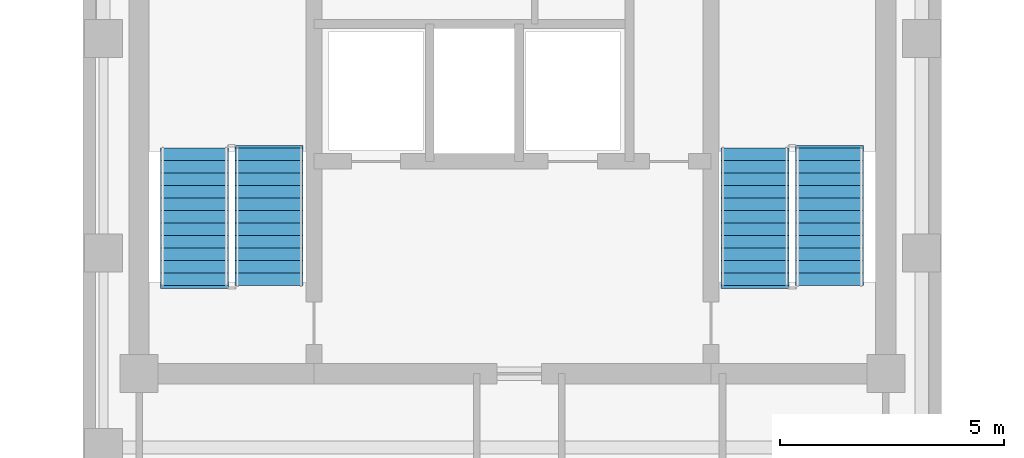
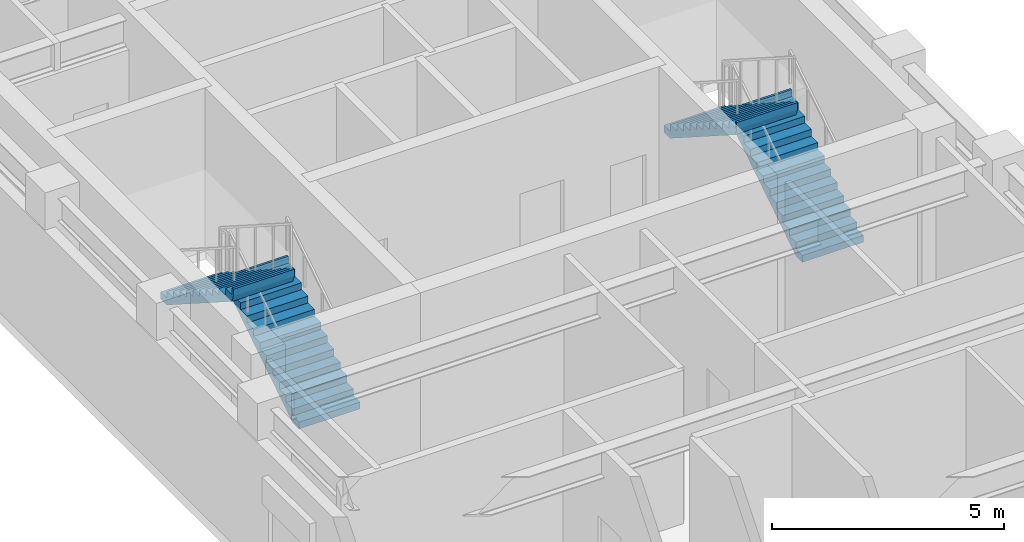
# One storey, part 5 of 6: 4 stair flights, 2 elements without a shape of their own.
"""IFC4 building model written with IfcOpenShell, lengths in metres."""

from ifc_helpers import new_model, si_unit, direction, frame, origin, place, context, subcontext, project, spatial, polyline, outline, extrude, material, type_object, element, aggregate, save


model = new_model("IFC4")

# Units and contexts
model_context = context("Model", 3, precision=1e-05, world=origin(), true_north=direction((0.0, 1.0)))
body_context = subcontext(model_context, "Body", "Model", "MODEL_VIEW")
ifc_project = project(units=[si_unit("LENGTHUNIT", "METRE"), si_unit("AREAUNIT", "SQUARE_METRE"), si_unit("VOLUMEUNIT", "CUBIC_METRE"), si_unit("PLANEANGLEUNIT", "RADIAN"), si_unit("MASSUNIT", "GRAM", prefix="KILO")], contexts=[model_context])

# Site, building, storey
site_placement = place(None, origin())
site = spatial("IfcSite", under=ifc_project, at=site_placement, CompositionType="ELEMENT")
building_placement = place(site_placement, origin())
building = spatial("IfcBuilding", under=site, at=building_placement, Name="Orvandelia Arch Residences", CompositionType="ELEMENT")
storey_placement = place(building_placement, frame((0.0, 0.0, 244.10009765625)))
storey = spatial("IfcBuildingStorey", under=building, at=storey_placement, Name="L64", CompositionType="ELEMENT", Elevation=244.10009765625)

# Stair, stair flights
ifc_material = material(Name="Concrete C40/50", Category="concrete")
stair_type = type_object("IfcStairType", Name="STAIR-RC-DOGLEG", PredefinedType="HALF_TURN_STAIR", material=ifc_material)
stair_1_placement = place(storey_placement, origin())
stair_1 = element("IfcStair", 1, at=stair_1_placement, inside=storey, type_object=stair_type, Name="L64 Protected Exit Stair ST-1", PredefinedType="HALF_TURN_STAIR")
stair_flight_type = type_object("IfcStairFlightType", Name="STFLT-RC-1520", PredefinedType="STRAIGHT", material=ifc_material)
stair_flight_1_placement = place(storey_placement, frame((8.9599609375, 32.8701171875, 0.0), z_axis=(0.0, 0.0, 1.0), x_axis=(0.0, 1.0, 0.0)))
stair_flight_1 = element("IfcStairFlight", 2, at=stair_flight_1_placement, type_object=stair_flight_type, Name="ST-1 flight 1", NumberOfRisers=12, NumberOfTreads=11, PredefinedType="STRAIGHT", RiserHeight=0.179166667, TreadLength=0.28, context=body_context, shape_type="SweptSolid", body=[
    extrude(outline(polyline([(0.0, 0.0), (0.0, 0.17919921875), (0.280029296875, 0.17919921875), (0.280029296875, 0.3583984375), (0.56005859375, 0.3583984375), (0.56005859375, 0.53759765625), (0.840087890625, 0.53759765625), (0.840087890625, 0.716552734375), (1.1201171875, 0.716552734375), (1.1201171875, 0.895751953125), (1.39990234375, 0.895751953125), (1.39990234375, 1.074951171875), (1.679931640625, 1.074951171875), (1.679931640625, 1.254150390625), (1.9599609375, 1.254150390625), (1.9599609375, 1.433349609375), (2.239990234375, 1.433349609375), (2.239990234375, 1.612548828125), (2.52001953125, 1.612548828125), (2.52001953125, 1.791748046875), (2.800048828125, 1.791748046875), (2.800048828125, 1.970947265625), (3.080078125, 1.970947265625), (3.080078125, 2.14990234375), (3.139892578125, 2.14990234375), (3.139892578125, 1.969970703125), (3.080078125, 1.79296875), (0.278076171875, 0.0), (0.0, 0.0)])), frame((0.0, 0.760009765625, 0.0), z_axis=(0.0, -1.0, 0.0), x_axis=(1.0, 0.0, 0.0)), (0.0, 0.0, 1.0), 1.52001953125),
])
stair_flight_2_placement = place(storey_placement, frame((7.2900390625, 35.949951171875, 2.14990234375), z_axis=(0.0, 0.0, 1.0), x_axis=(0.0, -1.0, 0.0)))
stair_flight_2 = element("IfcStairFlight", 3, at=stair_flight_2_placement, type_object=stair_flight_type, Name="ST-1 flight 2", NumberOfRisers=12, NumberOfTreads=11, PredefinedType="STRAIGHT", RiserHeight=0.179166667, TreadLength=0.28, context=body_context, shape_type="SweptSolid", body=[
    extrude(outline(polyline([(0.0, 0.0), (0.0, 0.17919921875), (0.280029296875, 0.17919921875), (0.280029296875, 0.3583984375), (0.56005859375, 0.3583984375), (0.56005859375, 0.53759765625), (0.840087890625, 0.53759765625), (0.840087890625, 0.716552734375), (1.1201171875, 0.716552734375), (1.1201171875, 0.895751953125), (1.39990234375, 0.895751953125), (1.39990234375, 1.074951171875), (1.679931640625, 1.074951171875), (1.679931640625, 1.254150390625), (1.9599609375, 1.254150390625), (1.9599609375, 1.433349609375), (2.239990234375, 1.433349609375), (2.239990234375, 1.612548828125), (2.52001953125, 1.612548828125), (2.52001953125, 1.791748046875), (2.800048828125, 1.791748046875), (2.800048828125, 1.970947265625), (3.080078125, 1.970947265625), (3.080078125, 2.14990234375), (3.139892578125, 2.14990234375), (3.139892578125, 1.969970703125), (3.080078125, 1.79296875), (0.278076171875, 0.0), (0.0, 0.0)])), frame((0.0, 0.760009765625, 0.0), z_axis=(0.0, -1.0, 0.0), x_axis=(1.0, 0.0, 0.0)), (0.0, 0.0, 1.0), 1.52001953125),
])
aggregate(stair_1, [stair_flight_1, stair_flight_2])

stair_2_placement = place(storey_placement, origin())
stair_2 = element("IfcStair", 4, at=stair_2_placement, inside=storey, type_object=stair_type, Name="L64 Protected Exit Stair ST-2", PredefinedType="HALF_TURN_STAIR")
stair_flight_3_placement = place(storey_placement, frame((21.489990234375, 32.8701171875, 0.0), z_axis=(0.0, 0.0, 1.0), x_axis=(0.0, 1.0, 0.0)))
stair_flight_3 = element("IfcStairFlight", 5, at=stair_flight_3_placement, type_object=stair_flight_type, Name="ST-2 flight 1", NumberOfRisers=12, NumberOfTreads=11, PredefinedType="STRAIGHT", RiserHeight=0.179166667, TreadLength=0.28, context=body_context, shape_type="SweptSolid", body=[
    extrude(outline(polyline([(0.0, 0.0), (0.0, 0.17919921875), (0.280029296875, 0.17919921875), (0.280029296875, 0.3583984375), (0.56005859375, 0.3583984375), (0.56005859375, 0.53759765625), (0.840087890625, 0.53759765625), (0.840087890625, 0.716552734375), (1.1201171875, 0.716552734375), (1.1201171875, 0.895751953125), (1.39990234375, 0.895751953125), (1.39990234375, 1.074951171875), (1.679931640625, 1.074951171875), (1.679931640625, 1.254150390625), (1.9599609375, 1.254150390625), (1.9599609375, 1.433349609375), (2.239990234375, 1.433349609375), (2.239990234375, 1.612548828125), (2.52001953125, 1.612548828125), (2.52001953125, 1.791748046875), (2.800048828125, 1.791748046875), (2.800048828125, 1.970947265625), (3.080078125, 1.970947265625), (3.080078125, 2.14990234375), (3.139892578125, 2.14990234375), (3.139892578125, 1.969970703125), (3.080078125, 1.79296875), (0.278076171875, 0.0), (0.0, 0.0)])), frame((0.0, 0.760009765625, 0.0), z_axis=(0.0, -1.0, 0.0), x_axis=(1.0, 0.0, 0.0)), (0.0, 0.0, 1.0), 1.52001953125),
])
stair_flight_4_placement = place(storey_placement, frame((19.820068359375, 35.949951171875, 2.14990234375), z_axis=(0.0, 0.0, 1.0), x_axis=(0.0, -1.0, 0.0)))
stair_flight_4 = element("IfcStairFlight", 6, at=stair_flight_4_placement, type_object=stair_flight_type, Name="ST-2 flight 2", NumberOfRisers=12, NumberOfTreads=11, PredefinedType="STRAIGHT", RiserHeight=0.179166667, TreadLength=0.28, context=body_context, shape_type="SweptSolid", body=[
    extrude(outline(polyline([(0.0, 0.0), (0.0, 0.17919921875), (0.280029296875, 0.17919921875), (0.280029296875, 0.3583984375), (0.56005859375, 0.3583984375), (0.56005859375, 0.53759765625), (0.840087890625, 0.53759765625), (0.840087890625, 0.716552734375), (1.1201171875, 0.716552734375), (1.1201171875, 0.895751953125), (1.39990234375, 0.895751953125), (1.39990234375, 1.074951171875), (1.679931640625, 1.074951171875), (1.679931640625, 1.254150390625), (1.9599609375, 1.254150390625), (1.9599609375, 1.433349609375), (2.239990234375, 1.433349609375), (2.239990234375, 1.612548828125), (2.52001953125, 1.612548828125), (2.52001953125, 1.791748046875), (2.800048828125, 1.791748046875), (2.800048828125, 1.970947265625), (3.080078125, 1.970947265625), (3.080078125, 2.14990234375), (3.139892578125, 2.14990234375), (3.139892578125, 1.969970703125), (3.080078125, 1.79296875), (0.278076171875, 0.0), (0.0, 0.0)])), frame((0.0, 0.760009765625, 0.0), z_axis=(0.0, -1.0, 0.0), x_axis=(1.0, 0.0, 0.0)), (0.0, 0.0, 1.0), 1.52001953125),
])
aggregate(stair_2, [stair_flight_3, stair_flight_4])

save(model, "model.ifc")
